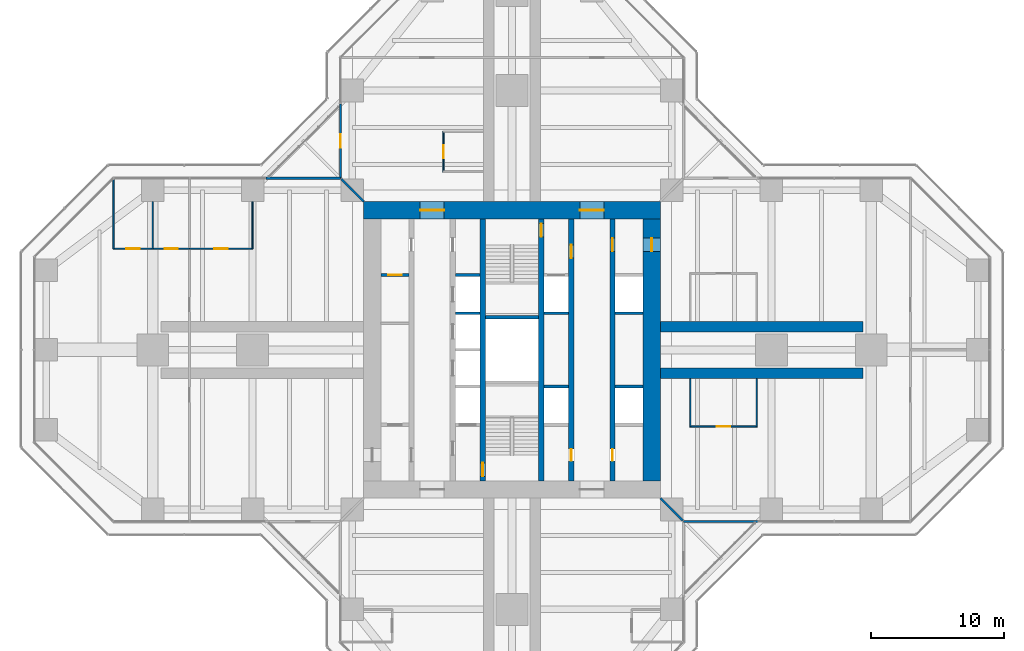
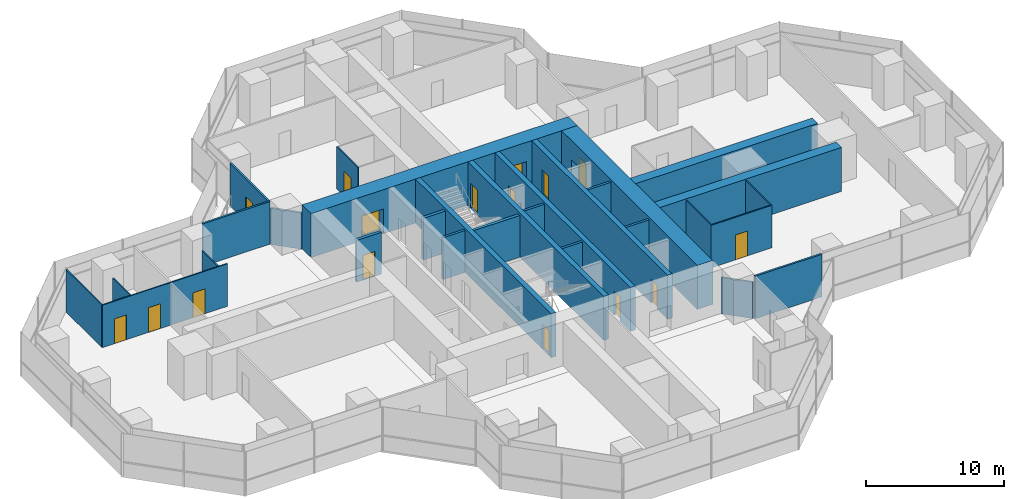
# One storey, part 16 of 19: 30 walls, 16 doors, 16 openings.
"""IFC4 building model written with IfcOpenShell, lengths in metres."""

from ifc_helpers import new_model, si_unit, direction, frame, frame_2d, origin, place, context, subcontext, project, spatial, rectangle, extrude, material, layer, layer_set, type_object, element, fill, save


model = new_model("IFC4")

# Units and contexts
model_context = context("Model", 3, precision=1e-05, world=origin(), true_north=direction((0.0, 1.0)))
body_context = subcontext(model_context, "Body", "Model", "MODEL_VIEW")
ifc_project = project(units=[si_unit("LENGTHUNIT", "METRE"), si_unit("AREAUNIT", "SQUARE_METRE"), si_unit("VOLUMEUNIT", "CUBIC_METRE"), si_unit("PLANEANGLEUNIT", "RADIAN"), si_unit("MASSUNIT", "GRAM", prefix="KILO")], contexts=[model_context])

# Site, building, storey
site_placement = place(None, origin())
site = spatial("IfcSite", under=ifc_project, at=site_placement, CompositionType="ELEMENT")
building_placement = place(site_placement, origin())
building = spatial("IfcBuilding", under=site, at=building_placement, Name="Mizan Broadcast Tower", CompositionType="ELEMENT")
storey_placement = place(building_placement, frame((0.0, 0.0, 163.199951171875)))
storey = spatial("IfcBuildingStorey", under=building, at=storey_placement, Name="L37", CompositionType="ELEMENT", Elevation=163.199951171875)

# Wall, openings, doors
ifc_material_1 = material(Name="Concrete C70/85", Category="concrete")
ifc_layer_1 = layer(ifc_material_1, 0.39990234375)
ifc_layer_set_1 = layer_set([ifc_layer_1], Name="Concrete C70/85")
wall_type_1 = type_object("IfcWallType", Name="CORE INTERNAL WALL 400", PredefinedType="SHEAR", material=ifc_layer_set_1)
wall_1_placement = place(storey_placement, frame((7.550048828125, 9.85009765625, 0.0), z_axis=(0.0, 0.0, 1.0), x_axis=(0.0, -1.0, 0.0)))
wall_1 = element("IfcWall", 1, at=wall_1_placement, inside=storey, type_object=wall_type_1, Name="Core wall CORE/XW1E", PredefinedType="SHEAR", context=body_context, shape_type="SweptSolid", body=[
    extrude(rectangle(XDim=19.7001953125, YDim=0.39990234375, at=frame_2d((9.85009765625, 0.0))), origin(), (0.0, 0.0, 1.0), 3.900146484375),
])
opening_1_placement = place(wall_1_placement, frame((1.449951171875, 0.0, 0.0)))
opening_1 = element("IfcOpeningElement", 2, at=opening_1_placement, cuts=wall_1, Name="Opening D10F", PredefinedType="OPENING", context=body_context, shape_type="SweptSolid", body=[
    extrude(rectangle(XDim=1.0, YDim=2.199951171875, at=frame_2d((0.5, 1.10009765625))), frame((0.0, 0.2099609375, 0.0), z_axis=(0.0, -1.0, 0.0), x_axis=(1.0, 0.0, 0.0)), (0.0, 0.0, 1.0), 0.419921875),
])
opening_2_placement = place(wall_1_placement, frame((17.300048828125, 0.0, 0.0)))
opening_2 = element("IfcOpeningElement", 3, at=opening_2_placement, cuts=wall_1, Name="Opening D09", PredefinedType="OPENING", context=body_context, shape_type="SweptSolid", body=[
    extrude(rectangle(XDim=0.89990234375, YDim=2.10009765625, at=frame_2d((0.449951171875, 1.050048828125))), frame((0.0, 0.2099609375, 0.0), z_axis=(0.0, -1.0, 0.0), x_axis=(1.0, 0.0, 0.0)), (0.0, 0.0, 1.0), 0.419921875),
])
ifc_material_2 = material(Name="Steel door leaf in steel frame", Category="steel")
door_type_1 = type_object("IfcDoorType", Name="FIRE DOOR 1000 FD90", OperationType="SINGLE_SWING_LEFT", PredefinedType="DOOR", material=ifc_material_2)
door_1_placement = place(opening_1_placement, origin())
door_1 = element("IfcDoor", 4, at=door_1_placement, inside=storey, type_object=door_type_1, Name="East core passage door", OperationType="SINGLE_SWING_LEFT", OverallHeight=2.199951171875, OverallWidth=1.0, PredefinedType="DOOR", context=body_context, shape_type="SweptSolid", body=[
    extrude(rectangle(XDim=1.0, YDim=2.199951171875, at=frame_2d((0.5, 1.10009765625))), frame((0.0, 0.02490234375, 0.0), z_axis=(0.0, -1.0, 0.0), x_axis=(1.0, 0.0, 0.0)), (0.0, 0.0, 1.0), 0.050048828125),
])
fill(opening_1, door_1)
ifc_material_3 = material(Name="Timber door leaf in aluminium frame", Category="wood")
door_type_2 = type_object("IfcDoorType", Name="TOILET DOOR 900", OperationType="SINGLE_SWING_LEFT", PredefinedType="DOOR", material=ifc_material_3)
door_2_placement = place(opening_2_placement, origin())
door_2 = element("IfcDoor", 5, at=door_2_placement, inside=storey, type_object=door_type_2, Name="Female WC door", OperationType="SINGLE_SWING_RIGHT", OverallHeight=2.10009765625, OverallWidth=0.89990234375, PredefinedType="DOOR", context=body_context, shape_type="SweptSolid", body=[
    extrude(rectangle(XDim=0.89990234375, YDim=2.10009765625, at=frame_2d((0.449951171875, 1.050048828125))), frame((0.0, 0.02490234375, 0.0), z_axis=(0.0, -1.0, 0.0), x_axis=(1.0, 0.0, 0.0)), (0.0, 0.0, 1.0), 0.050048828125),
])
fill(opening_2, door_2)

wall_2_placement = place(storey_placement, frame((4.449951171875, 9.85009765625, 0.0), z_axis=(0.0, 0.0, 1.0), x_axis=(0.0, -1.0, 0.0)))
wall_2 = element("IfcWall", 6, at=wall_2_placement, inside=storey, type_object=wall_type_1, Name="Core wall CORE/XWHE", PredefinedType="SHEAR", context=body_context, shape_type="SweptSolid", body=[
    extrude(rectangle(XDim=19.7001953125, YDim=0.39990234375, at=frame_2d((9.85009765625, 0.0))), origin(), (0.0, 0.0, 1.0), 3.900146484375),
])
opening_3_placement = place(wall_2_placement, frame((1.949951171875, 0.0, 0.0)))
opening_3 = element("IfcOpeningElement", 7, at=opening_3_placement, cuts=wall_2, Name="Opening D10F", PredefinedType="OPENING", context=body_context, shape_type="SweptSolid", body=[
    extrude(rectangle(XDim=1.0, YDim=2.199951171875, at=frame_2d((0.5, 1.10009765625))), frame((0.0, 0.2099609375, 0.0), z_axis=(0.0, -1.0, 0.0), x_axis=(1.0, 0.0, 0.0)), (0.0, 0.0, 1.0), 0.419921875),
])
opening_4_placement = place(wall_2_placement, frame((17.300048828125, 0.0, 0.0)))
opening_4 = element("IfcOpeningElement", 8, at=opening_4_placement, cuts=wall_2, Name="Opening D09", PredefinedType="OPENING", context=body_context, shape_type="SweptSolid", body=[
    extrude(rectangle(XDim=0.89990234375, YDim=2.10009765625, at=frame_2d((0.449951171875, 1.050048828125))), frame((0.0, 0.2099609375, 0.0), z_axis=(0.0, -1.0, 0.0), x_axis=(1.0, 0.0, 0.0)), (0.0, 0.0, 1.0), 0.419921875),
])
door_3_placement = place(opening_3_placement, origin())
door_3 = element("IfcDoor", 9, at=door_3_placement, inside=storey, type_object=door_type_1, Name="Firefighting lobby B door", OperationType="SINGLE_SWING_LEFT", OverallHeight=2.199951171875, OverallWidth=1.0, PredefinedType="DOOR", context=body_context, shape_type="SweptSolid", body=[
    extrude(rectangle(XDim=1.0, YDim=2.199951171875, at=frame_2d((0.5, 1.10009765625))), frame((0.0, 0.02490234375, 0.0), z_axis=(0.0, -1.0, 0.0), x_axis=(1.0, 0.0, 0.0)), (0.0, 0.0, 1.0), 0.050048828125),
])
fill(opening_3, door_3)
door_4_placement = place(opening_4_placement, origin())
door_4 = element("IfcDoor", 10, at=door_4_placement, inside=storey, type_object=door_type_2, Name="Cleaner's store door", OperationType="SINGLE_SWING_RIGHT", OverallHeight=2.10009765625, OverallWidth=0.89990234375, PredefinedType="DOOR", context=body_context, shape_type="SweptSolid", body=[
    extrude(rectangle(XDim=0.89990234375, YDim=2.10009765625, at=frame_2d((0.449951171875, 1.050048828125))), frame((0.0, 0.02490234375, 0.0), z_axis=(0.0, -1.0, 0.0), x_axis=(1.0, 0.0, 0.0)), (0.0, 0.0, 1.0), 0.050048828125),
])
fill(opening_4, door_4)

# Wall, opening, door
wall_3_placement = place(storey_placement, frame((-2.199951171875, -9.85009765625, 0.0), z_axis=(0.0, 0.0, 1.0), x_axis=(0.0, 1.0, 0.0)))
wall_3 = element("IfcWall", 11, at=wall_3_placement, inside=storey, type_object=wall_type_1, Name="Core wall CORE/XW2", PredefinedType="SHEAR", context=body_context, shape_type="SweptSolid", body=[
    extrude(rectangle(XDim=19.7001953125, YDim=0.39990234375, at=frame_2d((9.85009765625, 0.0))), origin(), (0.0, 0.0, 1.0), 3.900146484375),
])
opening_5_placement = place(wall_3_placement, frame((0.35009765625, 0.0, 0.0)))
opening_5 = element("IfcOpeningElement", 12, at=opening_5_placement, cuts=wall_3, Name="Opening D10S", PredefinedType="OPENING", context=body_context, shape_type="SweptSolid", body=[
    extrude(rectangle(XDim=1.0, YDim=2.199951171875, at=frame_2d((0.5, 1.10009765625))), frame((0.0, 0.2099609375, 0.0), z_axis=(0.0, -1.0, 0.0), x_axis=(1.0, 0.0, 0.0)), (0.0, 0.0, 1.0), 0.419921875),
])
ifc_material_4 = material(Name="Steel door leaf in steel frame", Category="steel")
door_type_3 = type_object("IfcDoorType", Name="STAIR DOOR 1000 FD90S", OperationType="SINGLE_SWING_RIGHT", PredefinedType="DOOR", material=ifc_material_4)
door_5_placement = place(opening_5_placement, origin())
door_5 = element("IfcDoor", 13, at=door_5_placement, inside=storey, type_object=door_type_3, Name="Stair A door", OperationType="SINGLE_SWING_RIGHT", OverallHeight=2.199951171875, OverallWidth=1.0, PredefinedType="DOOR", context=body_context, shape_type="SweptSolid", body=[
    extrude(rectangle(XDim=1.0, YDim=2.199951171875, at=frame_2d((0.5, 1.10009765625))), frame((0.0, 0.02490234375, 0.0), z_axis=(0.0, -1.0, 0.0), x_axis=(1.0, 0.0, 0.0)), (0.0, 0.0, 1.0), 0.050048828125),
])
fill(opening_5, door_5)

wall_4_placement = place(storey_placement, frame((2.199951171875, 9.85009765625, 0.0), z_axis=(0.0, 0.0, 1.0), x_axis=(0.0, -1.0, 0.0)))
wall_4 = element("IfcWall", 14, at=wall_4_placement, inside=storey, type_object=wall_type_1, Name="Core wall CORE/XW2E", PredefinedType="SHEAR", context=body_context, shape_type="SweptSolid", body=[
    extrude(rectangle(XDim=19.7001953125, YDim=0.39990234375, at=frame_2d((9.85009765625, 0.0))), origin(), (0.0, 0.0, 1.0), 3.900146484375),
])
opening_6_placement = place(wall_4_placement, frame((0.35009765625, 0.0, 0.0)))
opening_6 = element("IfcOpeningElement", 15, at=opening_6_placement, cuts=wall_4, Name="Opening D10S", PredefinedType="OPENING", context=body_context, shape_type="SweptSolid", body=[
    extrude(rectangle(XDim=1.0, YDim=2.199951171875, at=frame_2d((0.5, 1.10009765625))), frame((0.0, 0.2099609375, 0.0), z_axis=(0.0, -1.0, 0.0), x_axis=(1.0, 0.0, 0.0)), (0.0, 0.0, 1.0), 0.419921875),
])
door_6_placement = place(opening_6_placement, origin())
door_6 = element("IfcDoor", 16, at=door_6_placement, inside=storey, type_object=door_type_3, Name="Stair B door", OperationType="SINGLE_SWING_RIGHT", OverallHeight=2.199951171875, OverallWidth=1.0, PredefinedType="DOOR", context=body_context, shape_type="SweptSolid", body=[
    extrude(rectangle(XDim=1.0, YDim=2.199951171875, at=frame_2d((0.5, 1.10009765625))), frame((0.0, 0.02490234375, 0.0), z_axis=(0.0, -1.0, 0.0), x_axis=(1.0, 0.0, 0.0)), (0.0, 0.0, 1.0), 0.050048828125),
])
fill(opening_6, door_6)

# Wall, openings, doors
ifc_material_5 = material(Name="Concrete C70/85", Category="concrete")
ifc_layer_2 = layer(ifc_material_5, 1.300048828125)
ifc_layer_set_2 = layer_set([ifc_layer_2], Name="Concrete C70/85")
wall_type_2 = type_object("IfcWallType", Name="CORE WALL 1300", PredefinedType="SHEAR", material=ifc_layer_set_2)
wall_5_placement = place(storey_placement, frame((-11.14990234375, 10.5, 0.0), z_axis=(0.0, 0.0, 1.0), x_axis=(1.0, 0.0, 0.0)))
wall_5 = element("IfcWall", 17, at=wall_5_placement, inside=storey, type_object=wall_type_2, Name="Core wall N L37", PredefinedType="SHEAR", context=body_context, shape_type="SweptSolid", body=[
    extrude(rectangle(XDim=22.2998046875, YDim=1.300048828125, at=frame_2d((11.14990234375, 0.0))), origin(), (0.0, 0.0, 1.0), 3.900146484375),
])
opening_7_placement = place(wall_5_placement, frame((4.25, 0.0, 0.0)))
opening_7 = element("IfcOpeningElement", 18, at=opening_7_placement, cuts=wall_5, Name="Opening D18F", PredefinedType="OPENING", context=body_context, shape_type="SweptSolid", body=[
    extrude(rectangle(XDim=1.800048828125, YDim=2.199951171875, at=frame_2d((0.89990234375, 1.10009765625))), frame((0.0, 0.659912109375, 0.0), z_axis=(0.0, -1.0, 0.0), x_axis=(1.0, 0.0, 0.0)), (0.0, 0.0, 1.0), 1.320068359375),
])
opening_8_placement = place(wall_5_placement, frame((16.25, 0.0, 0.0)))
opening_8 = element("IfcOpeningElement", 19, at=opening_8_placement, cuts=wall_5, Name="Opening D18F", PredefinedType="OPENING", context=body_context, shape_type="SweptSolid", body=[
    extrude(rectangle(XDim=1.800048828125, YDim=2.199951171875, at=frame_2d((0.89990234375, 1.10009765625))), frame((0.0, 0.659912109375, 0.0), z_axis=(0.0, -1.0, 0.0), x_axis=(1.0, 0.0, 0.0)), (0.0, 0.0, 1.0), 1.320068359375),
])
ifc_material_6 = material(Name="Steel door leaf in steel frame", Category="steel")
door_type_4 = type_object("IfcDoorType", Name="LOBBY DOUBLE DOOR 1800 FD90", OperationType="DOUBLE_DOOR_DOUBLE_SWING", PredefinedType="DOOR", material=ifc_material_6)
door_7_placement = place(opening_7_placement, origin())
door_7 = element("IfcDoor", 20, at=door_7_placement, inside=storey, type_object=door_type_4, Name="West lift lobby north door", OperationType="DOUBLE_DOOR_DOUBLE_SWING", OverallHeight=2.199951171875, OverallWidth=1.800048828125, PredefinedType="DOOR", context=body_context, shape_type="SweptSolid", body=[
    extrude(rectangle(XDim=1.800048828125, YDim=2.199951171875, at=frame_2d((0.89990234375, 1.10009765625))), frame((0.0, 0.02490234375, 0.0), z_axis=(0.0, -1.0, 0.0), x_axis=(1.0, 0.0, 0.0)), (0.0, 0.0, 1.0), 0.050048828125),
])
fill(opening_7, door_7)
door_8_placement = place(opening_8_placement, origin())
door_8 = element("IfcDoor", 21, at=door_8_placement, inside=storey, type_object=door_type_4, Name="East lift lobby north door", OperationType="DOUBLE_DOOR_DOUBLE_SWING", OverallHeight=2.199951171875, OverallWidth=1.800048828125, PredefinedType="DOOR", context=body_context, shape_type="SweptSolid", body=[
    extrude(rectangle(XDim=1.800048828125, YDim=2.199951171875, at=frame_2d((0.89990234375, 1.10009765625))), frame((0.0, 0.02490234375, 0.0), z_axis=(0.0, -1.0, 0.0), x_axis=(1.0, 0.0, 0.0)), (0.0, 0.0, 1.0), 0.050048828125),
])
fill(opening_8, door_8)

# Wall, opening, door
wall_6_placement = place(storey_placement, frame((10.5, -9.85009765625, 0.0), z_axis=(0.0, 0.0, 1.0), x_axis=(0.0, 1.0, 0.0)))
wall_6 = element("IfcWall", 22, at=wall_6_placement, inside=storey, type_object=wall_type_2, Name="Core wall E L37", PredefinedType="SHEAR", context=body_context, shape_type="SweptSolid", body=[
    extrude(rectangle(XDim=19.7001953125, YDim=1.300048828125, at=frame_2d((9.85009765625, 0.0))), origin(), (0.0, 0.0, 1.0), 3.900146484375),
])
opening_9_placement = place(wall_6_placement, frame((17.25, 0.0, 0.0)))
opening_9 = element("IfcOpeningElement", 23, at=opening_9_placement, cuts=wall_6, Name="Opening D10F", PredefinedType="OPENING", context=body_context, shape_type="SweptSolid", body=[
    extrude(rectangle(XDim=1.0, YDim=2.199951171875, at=frame_2d((0.5, 1.10009765625))), frame((0.0, 0.659912109375, 0.0), z_axis=(0.0, -1.0, 0.0), x_axis=(1.0, 0.0, 0.0)), (0.0, 0.0, 1.0), 1.320068359375),
])
door_9_placement = place(opening_9_placement, origin())
door_9 = element("IfcDoor", 24, at=door_9_placement, inside=storey, type_object=door_type_1, Name="East core passage arm door", OperationType="SINGLE_SWING_RIGHT", OverallHeight=2.199951171875, OverallWidth=1.0, PredefinedType="DOOR", context=body_context, shape_type="SweptSolid", body=[
    extrude(rectangle(XDim=1.0, YDim=2.199951171875, at=frame_2d((0.5, 1.10009765625))), frame((0.0, 0.02490234375, 0.0), z_axis=(0.0, -1.0, 0.0), x_axis=(1.0, 0.0, 0.0)), (0.0, 0.0, 1.0), 0.050048828125),
])
fill(opening_9, door_9)

# Wall
ifc_material_7 = material(Name="Aluminium framed glazed screen", Category="aluminium")
ifc_layer_3 = layer(ifc_material_7, 0.159912109375)
ifc_layer_set_3 = layer_set([ifc_layer_3], Name="Aluminium framed glazed screen")
wall_type_3 = type_object("IfcWallType", Name="GLAZED SCREEN WALL 160", PredefinedType="SOLIDWALL", material=ifc_layer_set_3)
wall_7_placement = place(storey_placement, frame((12.89990234375, -12.89990234375, 0.0), z_axis=(0.0, 0.0, 1.0), x_axis=(1.0, 0.0, 0.0)))
element("IfcWall", 25, at=wall_7_placement, inside=storey, type_object=wall_type_3, Name="Winter garden screen L37 E", PredefinedType="SOLIDWALL", context=body_context, shape_type="SweptSolid", body=[
    extrude(rectangle(XDim=5.60009765625, YDim=0.159912109375, at=frame_2d((2.800048828125, 0.0))), origin(), (0.0, 0.0, 1.0), 3.77001953125),
])

# Wall, opening, door
wall_8_placement = place(storey_placement, frame((-12.89990234375, 18.5, 0.0), z_axis=(0.0, 0.0, 1.0), x_axis=(0.0, -1.0, 0.0)))
wall_8 = element("IfcWall", 26, at=wall_8_placement, inside=storey, type_object=wall_type_3, Name="Winter garden screen L37 N", PredefinedType="SOLIDWALL", context=body_context, shape_type="SweptSolid", body=[
    extrude(rectangle(XDim=5.60009765625, YDim=0.159912109375, at=frame_2d((2.800048828125, 0.0))), origin(), (0.0, 0.0, 1.0), 3.77001953125),
])
opening_10_placement = place(wall_8_placement, frame((2.300048828125, 0.0, 0.0)))
opening_10 = element("IfcOpeningElement", 27, at=opening_10_placement, cuts=wall_8, Name="Opening WGD", PredefinedType="OPENING", context=body_context, shape_type="SweptSolid", body=[
    extrude(rectangle(XDim=1.0, YDim=2.199951171875, at=frame_2d((0.5, 1.10009765625))), frame((0.0, 0.08984375, 0.0), z_axis=(0.0, -1.0, 0.0), x_axis=(1.0, 0.0, 0.0)), (0.0, 0.0, 1.0), 0.179931640625),
])
ifc_material_8 = material(Name="Aluminium framed glazed door", Category="aluminium")
door_type_5 = type_object("IfcDoorType", Name="WINTER GARDEN DOOR 1000 GLAZED", OperationType="SINGLE_SWING_LEFT", PredefinedType="DOOR", material=ifc_material_8)
door_10_placement = place(opening_10_placement, origin())
door_10 = element("IfcDoor", 28, at=door_10_placement, inside=storey, type_object=door_type_5, Name="Winter garden door L37 N", OperationType="SINGLE_SWING_RIGHT", OverallHeight=2.199951171875, OverallWidth=1.0, PredefinedType="DOOR", context=body_context, shape_type="SweptSolid", body=[
    extrude(rectangle(XDim=1.0, YDim=2.199951171875, at=frame_2d((0.5, 1.10009765625))), frame((0.0, 0.02490234375, 0.0), z_axis=(0.0, -1.0, 0.0), x_axis=(1.0, 0.0, 0.0)), (0.0, 0.0, 1.0), 0.050048828125),
])
fill(opening_10, door_10)

# Walls
wall_9_placement = place(storey_placement, frame((-12.89990234375, 12.89990234375, 0.0), z_axis=(0.0, 0.0, 1.0), x_axis=(-1.0, 0.0, 0.0)))
element("IfcWall", 29, at=wall_9_placement, inside=storey, type_object=wall_type_3, Name="Winter garden screen L37 W", PredefinedType="SOLIDWALL", context=body_context, shape_type="SweptSolid", body=[
    extrude(rectangle(XDim=5.60009765625, YDim=0.159912109375, at=frame_2d((2.800048828125, 0.0))), origin(), (0.0, 0.0, 1.0), 3.77001953125),
])
ifc_material_9 = material(Name="Concrete blockwork", Category="masonry")
ifc_layer_4 = layer(ifc_material_9, 0.199951171875)
ifc_layer_set_4 = layer_set([ifc_layer_4], Name="Concrete blockwork")
wall_type_4 = type_object("IfcWallType", Name="LIFT SHAFT WALL 200", PredefinedType="SOLIDWALL", material=ifc_layer_set_4)
wall_10_placement = place(storey_placement, frame((2.39990234375, -2.75, 0.0), z_axis=(0.0, 0.0, 1.0), x_axis=(1.0, 0.0, 0.0)))
element("IfcWall", 30, at=wall_10_placement, inside=storey, type_object=wall_type_4, Name="Lift shaft wall CORE/SE2-1", PredefinedType="SOLIDWALL", context=body_context, shape_type="SweptSolid", body=[
    extrude(rectangle(XDim=1.85009765625, YDim=0.199951171875, at=frame_2d((0.925048828125, 0.0))), origin(), (0.0, 0.0, 1.0), 3.699951171875),
])
wall_11_placement = place(storey_placement, frame((7.75, -2.75, 0.0), z_axis=(0.0, 0.0, 1.0), x_axis=(1.0, 0.0, 0.0)))
element("IfcWall", 31, at=wall_11_placement, inside=storey, type_object=wall_type_4, Name="Lift shaft wall CORE/SE1-1", PredefinedType="SOLIDWALL", context=body_context, shape_type="SweptSolid", body=[
    extrude(rectangle(XDim=2.10009765625, YDim=0.199951171875, at=frame_2d((1.050048828125, 0.0))), origin(), (0.0, 0.0, 1.0), 3.699951171875),
])
for number, where, z_axis, x_axis, name in (
    (32, (-4.25, 2.75, 0.0), (0.0, 0.0, 1.0), (1.0, 0.0, 0.0), "Lift shaft wall CORE/SW2-3"),
    (33, (2.39990234375, 2.75, 0.0), (0.0, 0.0, 1.0), (1.0, 0.0, 0.0), "Lift shaft wall CORE/SE2-3"),
):
    element("IfcWall", number, at=place(storey_placement, frame(where, z_axis=z_axis, x_axis=x_axis)), inside=storey, type_object=wall_type_4, Name=name, PredefinedType="SOLIDWALL", context=body_context, shape_type="SweptSolid", body=[
        extrude(rectangle(XDim=1.85009765625, YDim=0.199951171875, at=frame_2d((0.925048828125, 0.0))), origin(), (0.0, 0.0, 1.0), 3.699951171875),
    ])
wall_12_placement = place(storey_placement, frame((7.75, 2.75, 0.0), z_axis=(0.0, 0.0, 1.0), x_axis=(1.0, 0.0, 0.0)))
element("IfcWall", 34, at=wall_12_placement, inside=storey, type_object=wall_type_4, Name="Lift shaft wall CORE/SE1-3", PredefinedType="SOLIDWALL", context=body_context, shape_type="SweptSolid", body=[
    extrude(rectangle(XDim=2.10009765625, YDim=0.199951171875, at=frame_2d((1.050048828125, 0.0))), origin(), (0.0, 0.0, 1.0), 3.699951171875),
])

# Wall, opening, door
ifc_material_10 = material(Name="Concrete blockwork", Category="masonry")
ifc_layer_5 = layer(ifc_material_10, 0.25)
ifc_layer_set_5 = layer_set([ifc_layer_5], Name="Concrete blockwork")
wall_type_5 = type_object("IfcWallType", Name="LOBBY ENCLOSURE WALL 250", PredefinedType="SOLIDWALL", material=ifc_layer_set_5)
wall_13_placement = place(storey_placement, frame((-9.85009765625, 5.625, 0.0), z_axis=(0.0, 0.0, 1.0), x_axis=(1.0, 0.0, 0.0)))
wall_13 = element("IfcWall", 35, at=wall_13_placement, inside=storey, type_object=wall_type_5, Name="Lobby enclosure wall CORE/BW1N", PredefinedType="SOLIDWALL", context=body_context, shape_type="SweptSolid", body=[
    extrude(rectangle(XDim=2.10009765625, YDim=0.25, at=frame_2d((1.050048828125, 0.0))), origin(), (0.0, 0.0, 1.0), 3.699951171875),
])
opening_11_placement = place(wall_13_placement, frame((0.550048828125, 0.0, 0.0)))
opening_11 = element("IfcOpeningElement", 36, at=opening_11_placement, cuts=wall_13, Name="Opening D10F", PredefinedType="OPENING", context=body_context, shape_type="SweptSolid", body=[
    extrude(rectangle(XDim=1.0, YDim=2.199951171875, at=frame_2d((0.5, 1.10009765625))), frame((0.0, 0.135009765625, 0.0), z_axis=(0.0, -1.0, 0.0), x_axis=(1.0, 0.0, 0.0)), (0.0, 0.0, 1.0), 0.27001953125),
])
door_11_placement = place(opening_11_placement, origin())
door_11 = element("IfcDoor", 37, at=door_11_placement, inside=storey, type_object=door_type_1, Name="Staff locker room door", OperationType="SINGLE_SWING_RIGHT", OverallHeight=2.199951171875, OverallWidth=1.0, PredefinedType="DOOR", context=body_context, shape_type="SweptSolid", body=[
    extrude(rectangle(XDim=1.0, YDim=2.199951171875, at=frame_2d((0.5, 1.10009765625))), frame((0.0, 0.02490234375, 0.0), z_axis=(0.0, -1.0, 0.0), x_axis=(1.0, 0.0, 0.0)), (0.0, 0.0, 1.0), 0.050048828125),
])
fill(opening_11, door_11)

# Walls
wall_14_placement = place(storey_placement, frame((-4.25, 5.625, 0.0), z_axis=(0.0, 0.0, 1.0), x_axis=(1.0, 0.0, 0.0)))
element("IfcWall", 38, at=wall_14_placement, inside=storey, type_object=wall_type_5, Name="Lobby enclosure wall CORE/BW2N", PredefinedType="SOLIDWALL", context=body_context, shape_type="SweptSolid", body=[
    extrude(rectangle(XDim=1.85009765625, YDim=0.25, at=frame_2d((0.925048828125, 0.0))), origin(), (0.0, 0.0, 1.0), 3.699951171875),
])
wall_15_placement = place(storey_placement, frame((-2.0, 2.449951171875, 0.0), z_axis=(0.0, 0.0, 1.0), x_axis=(1.0, 0.0, 0.0)))
element("IfcWall", 39, at=wall_15_placement, inside=storey, type_object=wall_type_5, Name="Lobby enclosure wall CORE/STB", PredefinedType="SOLIDWALL", context=body_context, shape_type="SweptSolid", body=[
    extrude(rectangle(XDim=4.0, YDim=0.25, at=frame_2d((2.0, 0.0))), origin(), (0.0, 0.0, 1.0), 3.699951171875),
])
ifc_material_11 = material(Name="Gypsum board on steel studs", Category="steel")
ifc_layer_6 = layer(ifc_material_11, 0.14990234375)
ifc_layer_set_6 = layer_set([ifc_layer_6], Name="Gypsum board on steel studs")
wall_type_6 = type_object("IfcWallType", Name="PARTITION 150", PredefinedType="PARTITIONING", material=ifc_layer_set_6)
for number, where, z_axis, x_axis, name in (
    (40, (-11.14990234375, 11.14990234375, 0.0), (0.0, 0.0, 1.0), (-0.707106781187, 0.707106781187, 0.0), "Partition PT/DGWN"),
    (41, (11.14990234375, -11.14990234375, 0.0), (0.0, 0.0, 1.0), (0.707106781187, -0.707106781187, 0.0), "Partition PT/DGES"),
):
    element("IfcWall", number, at=place(storey_placement, frame(where, z_axis=z_axis, x_axis=x_axis)), inside=storey, type_object=wall_type_6, Name=name, PredefinedType="PARTITIONING", context=body_context, shape_type="SweptSolid", body=[
        extrude(rectangle(XDim=2.362060546875, YDim=0.14990234375, at=frame_2d((1.18115234375, 0.0))), origin(), (0.0, 0.0, 1.0), 3.219970703125),
    ])
ifc_material_12 = material(Name="Glazed aluminium partition on aluminium track", Category="aluminium")
ifc_layer_7 = layer(ifc_material_12, 0.10009765625)
ifc_layer_set_7 = layer_set([ifc_layer_7], Name="Glazed aluminium partition on aluminium track")
wall_type_7 = type_object("IfcWallType", Name="PARTITION GLAZED OFFICE FRONT 100", PredefinedType="PARTITIONING", material=ifc_layer_set_7)
for number, where, z_axis, x_axis, name in (
    (42, (13.39990234375, -2.14990234375, 0.0), (0.0, 0.0, 1.0), (0.0, -1.0, 0.0), "Glazed office front PT/EKN0a"),
    (43, (18.39990234375, -2.14990234375, 0.0), (0.0, 0.0, 1.0), (0.0, -1.0, 0.0), "Glazed office front PT/EKN0b"),
):
    element("IfcWall", number, at=place(storey_placement, frame(where, z_axis=z_axis, x_axis=x_axis)), inside=storey, type_object=wall_type_7, Name=name, PredefinedType="PARTITIONING", context=body_context, shape_type="SweptSolid", body=[
        extrude(rectangle(XDim=3.60009765625, YDim=0.10009765625, at=frame_2d((1.800048828125, 0.0))), origin(), (0.0, 0.0, 1.0), 3.77001953125),
    ])

# Wall, opening, door
wall_16_placement = place(storey_placement, frame((13.35009765625, -5.75, 0.0), z_axis=(0.0, 0.0, 1.0), x_axis=(1.0, 0.0, 0.0)))
wall_16 = element("IfcWall", 44, at=wall_16_placement, inside=storey, type_object=wall_type_7, Name="Glazed office front PT/EKN0f", PredefinedType="PARTITIONING", context=body_context, shape_type="SweptSolid", body=[
    extrude(rectangle(XDim=5.099853515625, YDim=0.10009765625, at=frame_2d((2.5498046875, 0.0))), origin(), (0.0, 0.0, 1.0), 3.77001953125),
])
opening_12_placement = place(wall_16_placement, frame((2.050048828125, 0.0, 0.0)))
opening_12 = element("IfcOpeningElement", 45, at=opening_12_placement, cuts=wall_16, Name="Opening D10O", PredefinedType="OPENING", context=body_context, shape_type="SweptSolid", body=[
    extrude(rectangle(XDim=1.0, YDim=2.199951171875, at=frame_2d((0.5, 1.10009765625))), frame((0.0, 0.06005859375, 0.0), z_axis=(0.0, -1.0, 0.0), x_axis=(1.0, 0.0, 0.0)), (0.0, 0.0, 1.0), 0.1201171875),
])
ifc_material_13 = material(Name="Timber door leaf in aluminium frame", Category="wood")
door_type_6 = type_object("IfcDoorType", Name="OFFICE DOOR 1000 GLAZED", OperationType="SINGLE_SWING_LEFT", PredefinedType="DOOR", material=ifc_material_13)
door_12_placement = place(opening_12_placement, origin())
door_12 = element("IfcDoor", 46, at=door_12_placement, inside=storey, type_object=door_type_6, Name="Archive room door", OperationType="SINGLE_SWING_LEFT", OverallHeight=2.199951171875, OverallWidth=1.0, PredefinedType="DOOR", context=body_context, shape_type="SweptSolid", body=[
    extrude(rectangle(XDim=1.0, YDim=2.199951171875, at=frame_2d((0.5, 1.10009765625))), frame((0.0, 0.02490234375, 0.0), z_axis=(0.0, -1.0, 0.0), x_axis=(1.0, 0.0, 0.0)), (0.0, 0.0, 1.0), 0.050048828125),
])
fill(opening_12, door_12)

wall_17_placement = place(storey_placement, frame((-5.14990234375, 13.35009765625, 0.0), z_axis=(0.0, 0.0, 1.0), x_axis=(0.0, 1.0, 0.0)))
wall_17 = element("IfcWall", 47, at=wall_17_placement, inside=storey, type_object=wall_type_7, Name="Glazed office front PT/NKP0f", PredefinedType="PARTITIONING", context=body_context, shape_type="SweptSolid", body=[
    extrude(rectangle(XDim=3.099853515625, YDim=0.10009765625, at=frame_2d((1.5498046875, 0.0))), origin(), (0.0, 0.0, 1.0), 3.77001953125),
])
opening_13_placement = place(wall_17_placement, frame((1.050048828125, 0.0, 0.0)))
opening_13 = element("IfcOpeningElement", 48, at=opening_13_placement, cuts=wall_17, Name="Opening D10O", PredefinedType="OPENING", context=body_context, shape_type="SweptSolid", body=[
    extrude(rectangle(XDim=1.0, YDim=2.199951171875, at=frame_2d((0.5, 1.10009765625))), frame((0.0, 0.06005859375, 0.0), z_axis=(0.0, -1.0, 0.0), x_axis=(1.0, 0.0, 0.0)), (0.0, 0.0, 1.0), 0.1201171875),
])
door_13_placement = place(opening_13_placement, origin())
door_13 = element("IfcDoor", 49, at=door_13_placement, inside=storey, type_object=door_type_6, Name="Pantry door", OperationType="SINGLE_SWING_LEFT", OverallHeight=2.199951171875, OverallWidth=1.0, PredefinedType="DOOR", context=body_context, shape_type="SweptSolid", body=[
    extrude(rectangle(XDim=1.0, YDim=2.199951171875, at=frame_2d((0.5, 1.10009765625))), frame((0.0, 0.02490234375, 0.0), z_axis=(0.0, -1.0, 0.0), x_axis=(1.0, 0.0, 0.0)), (0.0, 0.0, 1.0), 0.050048828125),
])
fill(opening_13, door_13)

wall_18_placement = place(storey_placement, frame((-19.5, 7.60009765625, 0.0), z_axis=(0.0, 0.0, 1.0), x_axis=(-1.0, 0.0, 0.0)))
wall_18 = element("IfcWall", 50, at=wall_18_placement, inside=storey, type_object=wall_type_7, Name="Glazed office front PT/WCN0", PredefinedType="PARTITIONING", context=body_context, shape_type="SweptSolid", body=[
    extrude(rectangle(XDim=4.72900390625, YDim=0.10009765625, at=frame_2d((2.364501953125, 0.0))), origin(), (0.0, 0.0, 1.0), 3.77001953125),
])
opening_14_placement = place(wall_18_placement, frame((1.864501953125, 0.0, 0.0)))
opening_14 = element("IfcOpeningElement", 51, at=opening_14_placement, cuts=wall_18, Name="Opening D10O", PredefinedType="OPENING", context=body_context, shape_type="SweptSolid", body=[
    extrude(rectangle(XDim=1.0, YDim=2.199951171875, at=frame_2d((0.5, 1.10009765625))), frame((0.0, 0.06005859375, 0.0), z_axis=(0.0, -1.0, 0.0), x_axis=(1.0, 0.0, 0.0)), (0.0, 0.0, 1.0), 0.1201171875),
])
door_14_placement = place(opening_14_placement, origin())
door_14 = element("IfcDoor", 52, at=door_14_placement, inside=storey, type_object=door_type_6, Name="Archivist's office door", OperationType="SINGLE_SWING_LEFT", OverallHeight=2.199951171875, OverallWidth=1.0, PredefinedType="DOOR", context=body_context, shape_type="SweptSolid", body=[
    extrude(rectangle(XDim=1.0, YDim=2.199951171875, at=frame_2d((0.5, 1.10009765625))), frame((0.0, 0.02490234375, 0.0), z_axis=(0.0, -1.0, 0.0), x_axis=(1.0, 0.0, 0.0)), (0.0, 0.0, 1.0), 0.050048828125),
])
fill(opening_14, door_14)

# Wall, openings, doors
wall_19_placement = place(storey_placement, frame((-24.22900390625, 7.60009765625, 0.0), z_axis=(0.0, 0.0, 1.0), x_axis=(-1.0, 0.0, 0.0)))
wall_19 = element("IfcWall", 53, at=wall_19_placement, inside=storey, type_object=wall_type_7, Name="Glazed office front PT/WCN1", PredefinedType="PARTITIONING", context=body_context, shape_type="SweptSolid", body=[
    extrude(rectangle(XDim=5.72998046875, YDim=0.10009765625, at=frame_2d((2.864990234375, 0.0))), origin(), (0.0, 0.0, 1.0), 3.77001953125),
])
opening_15_placement = place(wall_19_placement, frame((0.885498046875, 0.0, 0.0)))
opening_15 = element("IfcOpeningElement", 54, at=opening_15_placement, cuts=wall_19, Name="Opening D10O", PredefinedType="OPENING", context=body_context, shape_type="SweptSolid", body=[
    extrude(rectangle(XDim=1.0, YDim=2.199951171875, at=frame_2d((0.5, 1.10009765625))), frame((0.0, 0.06005859375, 0.0), z_axis=(0.0, -1.0, 0.0), x_axis=(1.0, 0.0, 0.0)), (0.0, 0.0, 1.0), 0.1201171875),
])
opening_16_placement = place(wall_19_placement, frame((3.75048828125, 0.0, 0.0)))
opening_16 = element("IfcOpeningElement", 55, at=opening_16_placement, cuts=wall_19, Name="Opening D10O", PredefinedType="OPENING", context=body_context, shape_type="SweptSolid", body=[
    extrude(rectangle(XDim=1.0, YDim=2.199951171875, at=frame_2d((0.5, 1.10009765625))), frame((0.0, 0.06005859375, 0.0), z_axis=(0.0, -1.0, 0.0), x_axis=(1.0, 0.0, 0.0)), (0.0, 0.0, 1.0), 0.1201171875),
])
door_15_placement = place(opening_15_placement, origin())
door_15 = element("IfcDoor", 56, at=door_15_placement, inside=storey, type_object=door_type_6, Name="Archivist's office door", OperationType="SINGLE_SWING_LEFT", OverallHeight=2.199951171875, OverallWidth=1.0, PredefinedType="DOOR", context=body_context, shape_type="SweptSolid", body=[
    extrude(rectangle(XDim=1.0, YDim=2.199951171875, at=frame_2d((0.5, 1.10009765625))), frame((0.0, 0.02490234375, 0.0), z_axis=(0.0, -1.0, 0.0), x_axis=(1.0, 0.0, 0.0)), (0.0, 0.0, 1.0), 0.050048828125),
])
fill(opening_15, door_15)
door_16_placement = place(opening_16_placement, origin())
door_16 = element("IfcDoor", 57, at=door_16_placement, inside=storey, type_object=door_type_6, Name="Archivist's office door", OperationType="SINGLE_SWING_RIGHT", OverallHeight=2.199951171875, OverallWidth=1.0, PredefinedType="DOOR", context=body_context, shape_type="SweptSolid", body=[
    extrude(rectangle(XDim=1.0, YDim=2.199951171875, at=frame_2d((0.5, 1.10009765625))), frame((0.0, 0.02490234375, 0.0), z_axis=(0.0, -1.0, 0.0), x_axis=(1.0, 0.0, 0.0)), (0.0, 0.0, 1.0), 0.050048828125),
])
fill(opening_16, door_16)

# Walls
wall_20_placement = place(storey_placement, frame((-19.5, 7.60009765625, 0.0), z_axis=(0.0, 0.0, 1.0), x_axis=(0.0, 1.0, 0.0)))
element("IfcWall", 58, at=wall_20_placement, inside=storey, type_object=wall_type_7, Name="Glazed office front PT/WQN1950", PredefinedType="PARTITIONING", context=body_context, shape_type="SweptSolid", body=[
    extrude(rectangle(XDim=3.5498046875, YDim=0.10009765625, at=frame_2d((1.77490234375, 0.0))), origin(), (0.0, 0.0, 1.0), 2.77001953125),
])
wall_21_placement = place(storey_placement, frame((-27.0, 7.60009765625, 0.0), z_axis=(0.0, 0.0, 1.0), x_axis=(0.0, 1.0, 0.0)))
element("IfcWall", 59, at=wall_21_placement, inside=storey, type_object=wall_type_7, Name="Glazed office front PT/WQN2700", PredefinedType="PARTITIONING", context=body_context, shape_type="SweptSolid", body=[
    extrude(rectangle(XDim=3.5498046875, YDim=0.10009765625, at=frame_2d((1.77490234375, 0.0))), origin(), (0.0, 0.0, 1.0), 2.969970703125),
])
wall_22_placement = place(storey_placement, frame((-29.958984375, 7.60009765625, 0.0), z_axis=(0.0, 0.0, 1.0), x_axis=(0.0, 1.0, 0.0)))
element("IfcWall", 60, at=wall_22_placement, inside=storey, type_object=wall_type_7, Name="Glazed office front PT/WQN2996", PredefinedType="PARTITIONING", context=body_context, shape_type="SweptSolid", body=[
    extrude(rectangle(XDim=5.219970703125, YDim=0.10009765625, at=frame_2d((2.60986328125, 0.0))), origin(), (0.0, 0.0, 1.0), 3.77001953125),
])
ifc_material_14 = material(Name="Concrete C70/85", Category="concrete")
ifc_layer_8 = layer(ifc_material_14, 0.800048828125)
ifc_layer_set_8 = layer_set([ifc_layer_8], Name="Concrete C70/85")
wall_type_8 = type_object("IfcWallType", Name="SPINE WALL 800", PredefinedType="SHEAR", material=ifc_layer_set_8)
for number, where, z_axis, x_axis, name in (
    (61, (11.14990234375, -1.75, 0.0), (0.0, 0.0, 1.0), (1.0, 0.0, 0.0), "Spine wall ER L37"),
    (62, (11.14990234375, 1.75, 0.0), (0.0, 0.0, 1.0), (1.0, 0.0, 0.0), "Spine wall EL L37"),
):
    element("IfcWall", number, at=place(storey_placement, frame(where, z_axis=z_axis, x_axis=x_axis)), inside=storey, type_object=wall_type_8, Name=name, PredefinedType="SHEAR", context=body_context, shape_type="SweptSolid", body=[
        extrude(rectangle(XDim=15.25, YDim=0.800048828125, at=frame_2d((7.625, 0.0))), origin(), (0.0, 0.0, 1.0), 3.900146484375),
    ])

save(model, "model.ifc")
